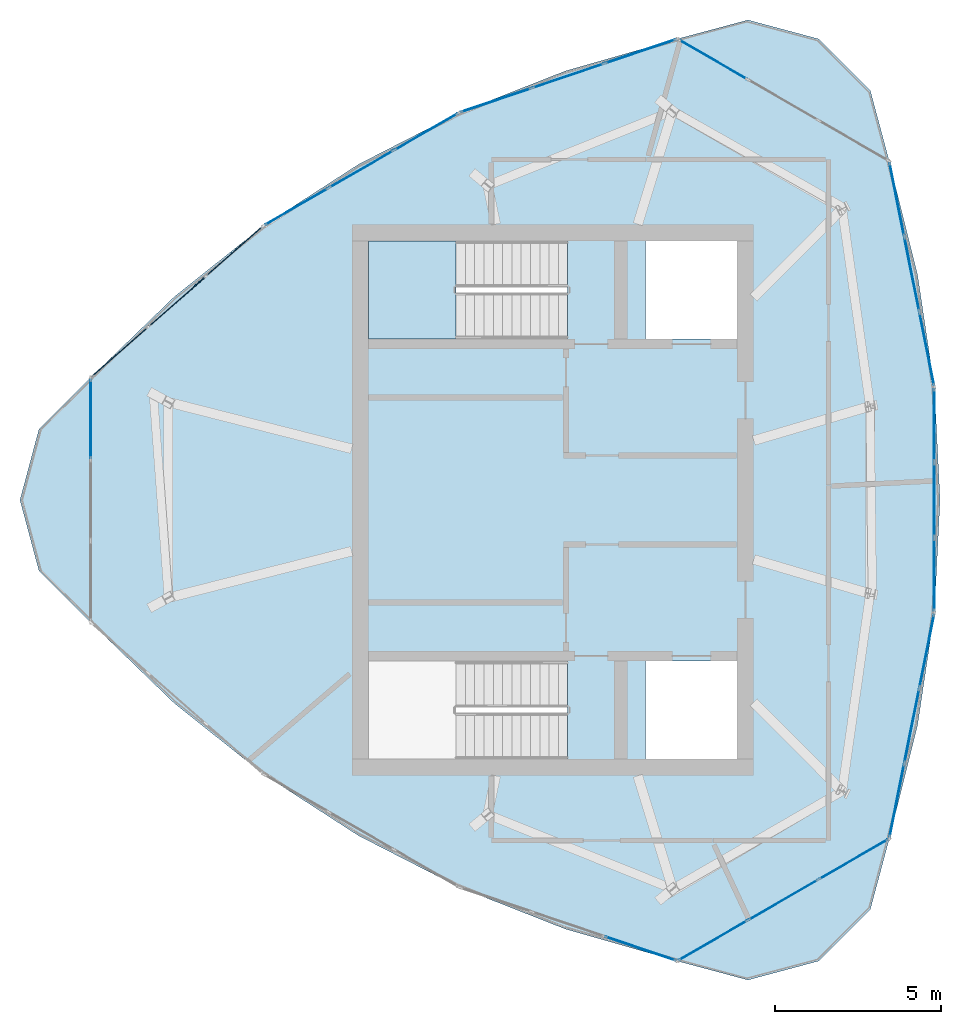
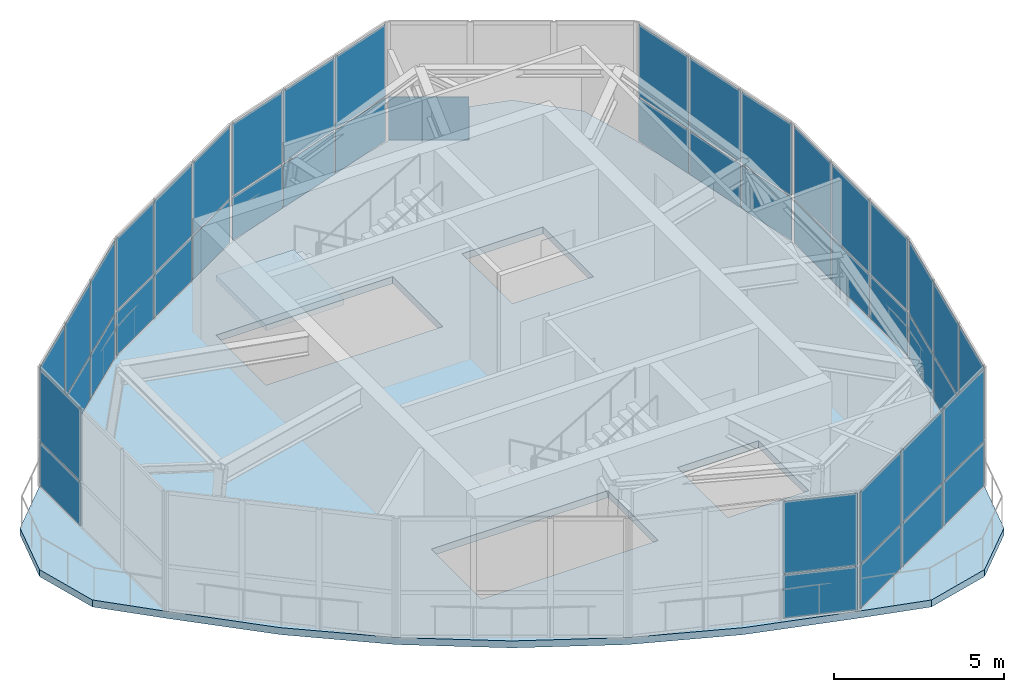
# One storey, part 6 of 10: 47 plates, 2 slabs, 11 elements without a shape of their own.
"""IFC4 building model written with IfcOpenShell, lengths in metres."""

from ifc_helpers import new_model, si_unit, direction, frame, origin, origin_2d, place, context, subcontext, project, spatial, polyline, rectangle, outline, extrude, source, transform, mapped, material, layer, layer_set, type_object, element, aggregate, save


model = new_model("IFC4")

# Units and contexts
model_context = context("Model", 3, precision=1e-05, world=origin(), true_north=direction((0.0, 1.0)))
body_context = subcontext(model_context, "Body", "Model", "MODEL_VIEW")
ifc_project = project(units=[si_unit("LENGTHUNIT", "METRE"), si_unit("AREAUNIT", "SQUARE_METRE"), si_unit("VOLUMEUNIT", "CUBIC_METRE"), si_unit("PLANEANGLEUNIT", "RADIAN"), si_unit("MASSUNIT", "GRAM", prefix="KILO")], contexts=[model_context])

# Site, building, storey
site_placement = place(None, origin())
site = spatial("IfcSite", under=ifc_project, at=site_placement, CompositionType="ELEMENT")
building_placement = place(site_placement, origin())
building = spatial("IfcBuilding", under=site, at=building_placement, Name="Qafzar Sky-Pleat Residences", CompositionType="ELEMENT")
storey_placement = place(building_placement, frame((0.0, 0.0, 270.39990234375)))
storey = spatial("IfcBuildingStorey", under=building, at=storey_placement, Name="L80 Crown", CompositionType="ELEMENT", Elevation=270.39990234375)

# Slab
ifc_material_1 = material(Name="Concrete C40/50", Category="concrete")
ifc_layer_1 = layer(ifc_material_1, 0.25)
ifc_layer_set_1 = layer_set([ifc_layer_1], Name="Concrete C40/50")
slab_type_1 = type_object("IfcSlabType", Name="SLAB-FLR-250", PredefinedType="FLOOR", material=ifc_layer_set_1)
slab_1_placement = place(storey_placement, frame((0.0, 0.0, -0.25)))
element("IfcSlab", 1, at=slab_1_placement, inside=storey, type_object=slab_type_1, Name="L80 Crown Crown Plant Floor Slab", PredefinedType="FLOOR", context=body_context, shape_type="SweptSolid", body=[
    extrude(outline(polyline([(16.438720703125, 29.68359375), (14.882080078125, 28.126708984375), (14.31201171875, 26.0), (14.882080078125, 23.873291015625), (16.438720703125, 22.31640625), (18.95751953125, 19.881103515625), (21.646240234375, 17.739990234375), (24.5048828125, 15.893310546875), (27.533447265625, 14.341064453125), (30.732177734375, 13.0830078125), (34.1005859375, 12.119384765625), (36.227294921875, 11.549560546875), (38.35400390625, 12.119384765625), (39.910888671875, 13.67626953125), (40.480712890625, 15.802978515625), (41.330322265625, 19.201904296875), (41.840087890625, 22.60107421875), (42.01025390625, 26.0), (41.840087890625, 29.39892578125), (41.330322265625, 32.798095703125), (40.480712890625, 36.197021484375), (39.910888671875, 38.32373046875), (38.35400390625, 39.880615234375), (36.227294921875, 40.450439453125), (34.1005859375, 39.880615234375), (30.732177734375, 38.9169921875), (27.533447265625, 37.658935546875), (24.5048828125, 36.106689453125), (21.646240234375, 34.260009765625), (18.95751953125, 32.118896484375), (16.438720703125, 29.68359375)]), holes=[polyline([(30.797119140625, 21.14990234375), (24.800048828125, 21.14990234375), (24.800048828125, 18.199951171875), (30.797119140625, 18.199951171875), (30.797119140625, 21.14990234375)]), polyline([(30.797119140625, 33.800048828125), (24.800048828125, 33.800048828125), (24.800048828125, 30.85009765625), (30.797119140625, 30.85009765625), (30.797119140625, 33.800048828125)]), polyline([(33.14990234375, 18.199951171875), (35.89990234375, 18.199951171875), (35.89990234375, 21.14990234375), (33.14990234375, 21.14990234375), (33.14990234375, 18.199951171875)]), polyline([(33.14990234375, 30.85009765625), (35.89990234375, 30.85009765625), (35.89990234375, 33.800048828125), (33.14990234375, 33.800048828125), (33.14990234375, 30.85009765625)])]), origin(), (0.0, 0.0, 1.0), 0.25),
])

# Stair, slab
stair_type = type_object("IfcStairType", Name="STAIR-H430", PredefinedType="HALF_TURN_STAIR", material=ifc_material_1)
stair_placement = place(storey_placement, origin())
stair = element("IfcStair", 2, at=stair_placement, inside=storey, type_object=stair_type, Name="L80 Crown Protected Exit Stair ST2", PredefinedType="HALF_TURN_STAIR")
ifc_layer_2 = layer(ifc_material_1, 0.199951171875)
ifc_layer_set_2 = layer_set([ifc_layer_2], Name="Concrete C40/50")
slab_type_2 = type_object("IfcSlabType", Name="SLAB-LANDING-200", PredefinedType="LANDING", material=ifc_layer_set_2)
slab_2_placement = place(storey_placement, frame((0.0, 0.0, 1.9501953125)))
slab_2 = element("IfcSlab", 3, at=slab_2_placement, type_object=slab_type_2, Name="ST2 landing 1", PredefinedType="LANDING", context=body_context, shape_type="SweptSolid", body=[
    extrude(outline(polyline([(27.43994140625, 33.800048828125), (24.800048828125, 33.800048828125), (24.800048828125, 30.85009765625), (27.43994140625, 30.85009765625), (27.43994140625, 33.800048828125)])), origin(), (0.0, 0.0, 1.0), 0.199951171875),
])
aggregate(stair, [slab_2])

# Curtain wall, plate
ifc_material_2 = material(Name="Anodised bronze aluminium framing", Category="aluminium")
ifc_layer_3 = layer(ifc_material_2, 0.179931640625)
ifc_layer_set_3 = layer_set([ifc_layer_3], Name="Anodised bronze aluminium framing")
curtain_wall_type = type_object("IfcCurtainWallType", Name="CW-SYS-06", PredefinedType="NOTDEFINED", material=ifc_layer_set_3)
curtain_wall_1_placement = place(storey_placement, origin())
curtain_wall_1 = element("IfcCurtainWall", 4, at=curtain_wall_1_placement, inside=storey, type_object=curtain_wall_type, Name="L80 Crown CW-06 Curtain Wall CW-CROWN-05-01", PredefinedType="NOTDEFINED")
ifc_material_3 = material(Name="Solar-control double low-E glazing", Category="glass")
ifc_layer_4 = layer(ifc_material_3, 0.02587890625)
ifc_layer_set_4 = layer_set([ifc_layer_4], Name="Solar-control double low-E glazing")
plate_type = type_object("IfcPlateType", Name="CWP-06", PredefinedType="CURTAIN_PANEL", material=ifc_layer_set_4)
shared_shape_1 = source(origin(), body_context, "Body", "SweptSolid", [
    extrude(rectangle(XDim=2.36572265625, YDim=0.02587890625, at=origin_2d()), origin(), (0.0, 0.0, 1.0), 1.5439453125),
])
plate_1_placement = place(storey_placement, frame((16.438720703125, 28.440673828125, 0.06005859375), z_axis=(0.0, 0.0, 1.0), x_axis=(0.0, -1.0, 0.0)))
plate_1 = element("IfcPlate", 5, at=plate_1_placement, type_object=plate_type, Name="CW-06 panel 1.1", PredefinedType="CURTAIN_PANEL", context=body_context, shape_type="MappedRepresentation", body=[
    mapped(shared_shape_1, transform((0.0, 0.0, 0.0), x_axis=(1.0, 0.0, 0.0), y_axis=(0.0, 1.0, 0.0), z_axis=(0.0, 0.0, 1.0), scale=1.0)),
])

# Curtain wall, plates
curtain_wall_2_placement = place(storey_placement, origin())
curtain_wall_2 = element("IfcCurtainWall", 6, at=curtain_wall_2_placement, inside=storey, type_object=curtain_wall_type, Name="L80 Crown CW-06 Curtain Wall CW-CROWN-05-05", PredefinedType="NOTDEFINED")
plate_2_placement = place(storey_placement, frame((35.177001953125, 12.740966796875, 0.06005859375), z_axis=(0.0, 0.0, 1.0), x_axis=(0.86602509329, 0.500000537791, 0.0)))
plate_2 = element("IfcPlate", 7, at=plate_2_placement, type_object=plate_type, Name="CW-06 panel 1.1", PredefinedType="CURTAIN_PANEL", context=body_context, shape_type="MappedRepresentation", body=[
    mapped(shared_shape_1, transform((0.0, 0.0, 0.0), x_axis=(1.0, 0.0, 0.0), y_axis=(0.0, 1.0, 0.0), z_axis=(0.0, 0.0, 1.0), scale=1.0)),
])
plate_3_placement = place(storey_placement, frame((39.404296875, 15.181640625, 0.06005859375), z_axis=(0.0, 0.0, 1.0), x_axis=(0.86602509329, 0.500000537791, 0.0)))
plate_3 = element("IfcPlate", 8, at=plate_3_placement, type_object=plate_type, Name="CW-06 panel 3.1", PredefinedType="CURTAIN_PANEL", context=body_context, shape_type="MappedRepresentation", body=[
    mapped(shared_shape_1, transform((0.0, 0.0, 0.0), x_axis=(1.0, 0.0, 0.0), y_axis=(0.0, 1.0, 0.0), z_axis=(0.0, 0.0, 1.0), scale=1.0)),
])

# Curtain wall, plate
curtain_wall_3_placement = place(storey_placement, origin())
curtain_wall_3 = element("IfcCurtainWall", 9, at=curtain_wall_3_placement, inside=storey, type_object=curtain_wall_type, Name="L80 Crown CW-06 Curtain Wall CW-CROWN-05-09", PredefinedType="NOTDEFINED")
plate_4_placement = place(storey_placement, frame((35.177001953125, 39.259033203125, 0.06005859375), z_axis=(0.0, 0.0, 1.0), x_axis=(-0.86602509329, 0.500000537791, 0.0)))
plate_4 = element("IfcPlate", 10, at=plate_4_placement, type_object=plate_type, Name="CW-06 panel 3.1", PredefinedType="CURTAIN_PANEL", context=body_context, shape_type="MappedRepresentation", body=[
    mapped(shared_shape_1, transform((0.0, 0.0, 0.0), x_axis=(1.0, 0.0, 0.0), y_axis=(0.0, 1.0, 0.0), z_axis=(0.0, 0.0, 1.0), scale=1.0)),
])
aggregate(curtain_wall_3, [plate_4])

# Plate
shared_shape_2 = source(origin(), body_context, "Body", "SweptSolid", [
    extrude(rectangle(XDim=2.36572265625, YDim=0.02587890625, at=origin_2d()), origin(), (0.0, 0.0, 1.0), 2.575927734375),
])
plate_5_placement = place(storey_placement, frame((16.438720703125, 28.440673828125, 1.6640625), z_axis=(0.0, 0.0, 1.0), x_axis=(0.0, -1.0, 0.0)))
plate_5 = element("IfcPlate", 11, at=plate_5_placement, type_object=plate_type, Name="CW-06 panel 1.2", PredefinedType="CURTAIN_PANEL", context=body_context, shape_type="MappedRepresentation", body=[
    mapped(shared_shape_2, transform((0.0, 0.0, 0.0), x_axis=(1.0, 0.0, 0.0), y_axis=(0.0, 1.0, 0.0), z_axis=(0.0, 0.0, 1.0), scale=1.0)),
])

aggregate(curtain_wall_1, [plate_1, plate_5])

plate_6_placement = place(storey_placement, frame((35.177001953125, 12.740966796875, 1.6640625), z_axis=(0.0, 0.0, 1.0), x_axis=(0.86602509329, 0.500000537791, 0.0)))
plate_6 = element("IfcPlate", 12, at=plate_6_placement, type_object=plate_type, Name="CW-06 panel 1.2", PredefinedType="CURTAIN_PANEL", context=body_context, shape_type="MappedRepresentation", body=[
    mapped(shared_shape_2, transform((0.0, 0.0, 0.0), x_axis=(1.0, 0.0, 0.0), y_axis=(0.0, 1.0, 0.0), z_axis=(0.0, 0.0, 1.0), scale=1.0)),
])

plate_7_placement = place(storey_placement, frame((39.404296875, 15.181640625, 1.6640625), z_axis=(0.0, 0.0, 1.0), x_axis=(0.86602509329, 0.500000537791, 0.0)))
plate_7 = element("IfcPlate", 13, at=plate_7_placement, type_object=plate_type, Name="CW-06 panel 3.2", PredefinedType="CURTAIN_PANEL", context=body_context, shape_type="MappedRepresentation", body=[
    mapped(shared_shape_2, transform((0.0, 0.0, 0.0), x_axis=(1.0, 0.0, 0.0), y_axis=(0.0, 1.0, 0.0), z_axis=(0.0, 0.0, 1.0), scale=1.0)),
])

shared_shape_3 = source(origin(), body_context, "Body", "SweptSolid", [
    extrude(rectangle(XDim=2.395751953125, YDim=0.02587890625, at=origin_2d()), origin(), (0.0, 0.0, 1.0), 1.5439453125),
])
plate_8_placement = place(storey_placement, frame((37.29052734375, 13.961181640625, 0.06005859375), z_axis=(0.0, 0.0, 1.0), x_axis=(0.86602509329, 0.500000537791, 0.0)))
plate_8 = element("IfcPlate", 14, at=plate_8_placement, type_object=plate_type, Name="CW-06 panel 2.1", PredefinedType="CURTAIN_PANEL", context=body_context, shape_type="MappedRepresentation", body=[
    mapped(shared_shape_3, transform((0.0, 0.0, 0.0), x_axis=(1.0, 0.0, 0.0), y_axis=(0.0, 1.0, 0.0), z_axis=(0.0, 0.0, 1.0), scale=1.0)),
])

shared_shape_4 = source(origin(), body_context, "Body", "SweptSolid", [
    extrude(rectangle(XDim=2.395751953125, YDim=0.02587890625, at=origin_2d()), origin(), (0.0, 0.0, 1.0), 2.575927734375),
])
plate_9_placement = place(storey_placement, frame((37.29052734375, 13.961181640625, 1.6640625), z_axis=(0.0, 0.0, 1.0), x_axis=(0.86602509329, 0.500000537791, 0.0)))
plate_9 = element("IfcPlate", 15, at=plate_9_placement, type_object=plate_type, Name="CW-06 panel 2.2", PredefinedType="CURTAIN_PANEL", context=body_context, shape_type="MappedRepresentation", body=[
    mapped(shared_shape_4, transform((0.0, 0.0, 0.0), x_axis=(1.0, 0.0, 0.0), y_axis=(0.0, 1.0, 0.0), z_axis=(0.0, 0.0, 1.0), scale=1.0)),
])

aggregate(curtain_wall_2, [plate_2, plate_6, plate_8, plate_9, plate_3, plate_7])

# Curtain wall, plate
curtain_wall_4_placement = place(storey_placement, origin())
curtain_wall_4 = element("IfcCurtainWall", 16, at=curtain_wall_4_placement, inside=storey, type_object=curtain_wall_type, Name="L80 Crown CW-06 Curtain Wall CW-CROWN-05-04", PredefinedType="NOTDEFINED")
shared_shape_5 = source(origin(), body_context, "Body", "SweptSolid", [
    extrude(rectangle(XDim=2.220947265625, YDim=0.02587890625, at=origin_2d()), origin(), (0.0, 0.0, 1.0), 1.5439453125),
])
plate_10_placement = place(storey_placement, frame((32.991943359375, 12.49462890625, 0.06005859375), z_axis=(0.0, 0.0, 1.0), x_axis=(0.947268992324, -0.320439473508, 0.0)))
plate_10 = element("IfcPlate", 17, at=plate_10_placement, type_object=plate_type, Name="CW-06 panel 3.1", PredefinedType="CURTAIN_PANEL", context=body_context, shape_type="MappedRepresentation", body=[
    mapped(shared_shape_5, transform((0.0, 0.0, 0.0), x_axis=(1.0, 0.0, 0.0), y_axis=(0.0, 1.0, 0.0), z_axis=(0.0, 0.0, 1.0), scale=1.0)),
])

# Curtain wall, plates
curtain_wall_5_placement = place(storey_placement, origin())
curtain_wall_5 = element("IfcCurtainWall", 18, at=curtain_wall_5_placement, inside=storey, type_object=curtain_wall_type, Name="L80 Crown CW-06 Curtain Wall CW-CROWN-05-06", PredefinedType="NOTDEFINED")
plate_11_placement = place(storey_placement, frame((40.710205078125, 16.95068359375, 0.06005859375), z_axis=(0.0, 0.0, 1.0), x_axis=(0.196116135138, 0.980580675691, 0.0)))
plate_11 = element("IfcPlate", 19, at=plate_11_placement, type_object=plate_type, Name="CW-06 panel 1.1", PredefinedType="CURTAIN_PANEL", context=body_context, shape_type="MappedRepresentation", body=[
    mapped(shared_shape_5, transform((0.0, 0.0, 0.0), x_axis=(1.0, 0.0, 0.0), y_axis=(0.0, 1.0, 0.0), z_axis=(0.0, 0.0, 1.0), scale=1.0)),
])
plate_12_placement = place(storey_placement, frame((41.610595703125, 21.453369140625, 0.06005859375), z_axis=(0.0, 0.0, 1.0), x_axis=(0.196116135138, 0.980580675691, 0.0)))
plate_12 = element("IfcPlate", 20, at=plate_12_placement, type_object=plate_type, Name="CW-06 panel 3.1", PredefinedType="CURTAIN_PANEL", context=body_context, shape_type="MappedRepresentation", body=[
    mapped(shared_shape_5, transform((0.0, 0.0, 0.0), x_axis=(1.0, 0.0, 0.0), y_axis=(0.0, 1.0, 0.0), z_axis=(0.0, 0.0, 1.0), scale=1.0)),
])

curtain_wall_6_placement = place(storey_placement, origin())
curtain_wall_6 = element("IfcCurtainWall", 21, at=curtain_wall_6_placement, inside=storey, type_object=curtain_wall_type, Name="L80 Crown CW-06 Curtain Wall CW-CROWN-05-08", PredefinedType="NOTDEFINED")
plate_13_placement = place(storey_placement, frame((41.610595703125, 30.546630859375, 0.06005859375), z_axis=(0.0, 0.0, 1.0), x_axis=(-0.196116135138, 0.980580675691, 0.0)))
plate_13 = element("IfcPlate", 22, at=plate_13_placement, type_object=plate_type, Name="CW-06 panel 1.1", PredefinedType="CURTAIN_PANEL", context=body_context, shape_type="MappedRepresentation", body=[
    mapped(shared_shape_5, transform((0.0, 0.0, 0.0), x_axis=(1.0, 0.0, 0.0), y_axis=(0.0, 1.0, 0.0), z_axis=(0.0, 0.0, 1.0), scale=1.0)),
])
plate_14_placement = place(storey_placement, frame((40.710205078125, 35.04931640625, 0.06005859375), z_axis=(0.0, 0.0, 1.0), x_axis=(-0.196116135138, 0.980580675691, 0.0)))
plate_14 = element("IfcPlate", 23, at=plate_14_placement, type_object=plate_type, Name="CW-06 panel 3.1", PredefinedType="CURTAIN_PANEL", context=body_context, shape_type="MappedRepresentation", body=[
    mapped(shared_shape_5, transform((0.0, 0.0, 0.0), x_axis=(1.0, 0.0, 0.0), y_axis=(0.0, 1.0, 0.0), z_axis=(0.0, 0.0, 1.0), scale=1.0)),
])

curtain_wall_7_placement = place(storey_placement, origin())
curtain_wall_7 = element("IfcCurtainWall", 24, at=curtain_wall_7_placement, inside=storey, type_object=curtain_wall_type, Name="L80 Crown CW-06 Curtain Wall CW-CROWN-05-10", PredefinedType="NOTDEFINED")
plate_15_placement = place(storey_placement, frame((32.991943359375, 39.50537109375, 0.06005859375), z_axis=(0.0, 0.0, 1.0), x_axis=(-0.947268992324, -0.320439473508, 0.0)))
plate_15 = element("IfcPlate", 25, at=plate_15_placement, type_object=plate_type, Name="CW-06 panel 1.1", PredefinedType="CURTAIN_PANEL", context=body_context, shape_type="MappedRepresentation", body=[
    mapped(shared_shape_5, transform((0.0, 0.0, 0.0), x_axis=(1.0, 0.0, 0.0), y_axis=(0.0, 1.0, 0.0), z_axis=(0.0, 0.0, 1.0), scale=1.0)),
])
plate_16_placement = place(storey_placement, frame((28.642333984375, 38.033935546875, 0.06005859375), z_axis=(0.0, 0.0, 1.0), x_axis=(-0.947268992324, -0.320439473508, 0.0)))
plate_16 = element("IfcPlate", 26, at=plate_16_placement, type_object=plate_type, Name="CW-06 panel 3.1", PredefinedType="CURTAIN_PANEL", context=body_context, shape_type="MappedRepresentation", body=[
    mapped(shared_shape_5, transform((0.0, 0.0, 0.0), x_axis=(1.0, 0.0, 0.0), y_axis=(0.0, 1.0, 0.0), z_axis=(0.0, 0.0, 1.0), scale=1.0)),
])

curtain_wall_8_placement = place(storey_placement, origin())
curtain_wall_8 = element("IfcCurtainWall", 27, at=curtain_wall_8_placement, inside=storey, type_object=curtain_wall_type, Name="L80 Crown CW-06 Curtain Wall CW-CROWN-05-12", PredefinedType="NOTDEFINED")
plate_17_placement = place(storey_placement, frame((20.76708984375, 33.4873046875, 0.06005859375), z_axis=(0.0, 0.0, 1.0), x_axis=(-0.751149726497, -0.660131871965, 0.0)))
plate_17 = element("IfcPlate", 28, at=plate_17_placement, type_object=plate_type, Name="CW-06 panel 1.1", PredefinedType="CURTAIN_PANEL", context=body_context, shape_type="MappedRepresentation", body=[
    mapped(shared_shape_5, transform((0.0, 0.0, 0.0), x_axis=(1.0, 0.0, 0.0), y_axis=(0.0, 1.0, 0.0), z_axis=(0.0, 0.0, 1.0), scale=1.0)),
])
plate_18_placement = place(storey_placement, frame((17.31787109375, 30.4560546875, 0.06005859375), z_axis=(0.0, 0.0, 1.0), x_axis=(-0.751149726497, -0.660131871965, 0.0)))
plate_18 = element("IfcPlate", 29, at=plate_18_placement, type_object=plate_type, Name="CW-06 panel 3.1", PredefinedType="CURTAIN_PANEL", context=body_context, shape_type="MappedRepresentation", body=[
    mapped(shared_shape_5, transform((0.0, 0.0, 0.0), x_axis=(1.0, 0.0, 0.0), y_axis=(0.0, 1.0, 0.0), z_axis=(0.0, 0.0, 1.0), scale=1.0)),
])

# Plate
shared_shape_6 = source(origin(), body_context, "Body", "SweptSolid", [
    extrude(rectangle(XDim=2.220947265625, YDim=0.02587890625, at=origin_2d()), origin(), (0.0, 0.0, 1.0), 2.575927734375),
])
plate_19_placement = place(storey_placement, frame((32.991943359375, 12.49462890625, 1.6640625), z_axis=(0.0, 0.0, 1.0), x_axis=(0.947268992324, -0.320439473508, 0.0)))
plate_19 = element("IfcPlate", 30, at=plate_19_placement, type_object=plate_type, Name="CW-06 panel 3.2", PredefinedType="CURTAIN_PANEL", context=body_context, shape_type="MappedRepresentation", body=[
    mapped(shared_shape_6, transform((0.0, 0.0, 0.0), x_axis=(1.0, 0.0, 0.0), y_axis=(0.0, 1.0, 0.0), z_axis=(0.0, 0.0, 1.0), scale=1.0)),
])

aggregate(curtain_wall_4, [plate_10, plate_19])

plate_20_placement = place(storey_placement, frame((40.710205078125, 16.95068359375, 1.6640625), z_axis=(0.0, 0.0, 1.0), x_axis=(0.196116135138, 0.980580675691, 0.0)))
plate_20 = element("IfcPlate", 31, at=plate_20_placement, type_object=plate_type, Name="CW-06 panel 1.2", PredefinedType="CURTAIN_PANEL", context=body_context, shape_type="MappedRepresentation", body=[
    mapped(shared_shape_6, transform((0.0, 0.0, 0.0), x_axis=(1.0, 0.0, 0.0), y_axis=(0.0, 1.0, 0.0), z_axis=(0.0, 0.0, 1.0), scale=1.0)),
])

plate_21_placement = place(storey_placement, frame((41.610595703125, 21.453369140625, 1.6640625), z_axis=(0.0, 0.0, 1.0), x_axis=(0.196116135138, 0.980580675691, 0.0)))
plate_21 = element("IfcPlate", 32, at=plate_21_placement, type_object=plate_type, Name="CW-06 panel 3.2", PredefinedType="CURTAIN_PANEL", context=body_context, shape_type="MappedRepresentation", body=[
    mapped(shared_shape_6, transform((0.0, 0.0, 0.0), x_axis=(1.0, 0.0, 0.0), y_axis=(0.0, 1.0, 0.0), z_axis=(0.0, 0.0, 1.0), scale=1.0)),
])

plate_22_placement = place(storey_placement, frame((41.610595703125, 30.546630859375, 1.6640625), z_axis=(0.0, 0.0, 1.0), x_axis=(-0.196116135138, 0.980580675691, 0.0)))
plate_22 = element("IfcPlate", 33, at=plate_22_placement, type_object=plate_type, Name="CW-06 panel 1.2", PredefinedType="CURTAIN_PANEL", context=body_context, shape_type="MappedRepresentation", body=[
    mapped(shared_shape_6, transform((0.0, 0.0, 0.0), x_axis=(1.0, 0.0, 0.0), y_axis=(0.0, 1.0, 0.0), z_axis=(0.0, 0.0, 1.0), scale=1.0)),
])

plate_23_placement = place(storey_placement, frame((40.710205078125, 35.04931640625, 1.6640625), z_axis=(0.0, 0.0, 1.0), x_axis=(-0.196116135138, 0.980580675691, 0.0)))
plate_23 = element("IfcPlate", 34, at=plate_23_placement, type_object=plate_type, Name="CW-06 panel 3.2", PredefinedType="CURTAIN_PANEL", context=body_context, shape_type="MappedRepresentation", body=[
    mapped(shared_shape_6, transform((0.0, 0.0, 0.0), x_axis=(1.0, 0.0, 0.0), y_axis=(0.0, 1.0, 0.0), z_axis=(0.0, 0.0, 1.0), scale=1.0)),
])

plate_24_placement = place(storey_placement, frame((32.991943359375, 39.50537109375, 1.6640625), z_axis=(0.0, 0.0, 1.0), x_axis=(-0.947268992324, -0.320439473508, 0.0)))
plate_24 = element("IfcPlate", 35, at=plate_24_placement, type_object=plate_type, Name="CW-06 panel 1.2", PredefinedType="CURTAIN_PANEL", context=body_context, shape_type="MappedRepresentation", body=[
    mapped(shared_shape_6, transform((0.0, 0.0, 0.0), x_axis=(1.0, 0.0, 0.0), y_axis=(0.0, 1.0, 0.0), z_axis=(0.0, 0.0, 1.0), scale=1.0)),
])

plate_25_placement = place(storey_placement, frame((28.642333984375, 38.033935546875, 1.6640625), z_axis=(0.0, 0.0, 1.0), x_axis=(-0.947268992324, -0.320439473508, 0.0)))
plate_25 = element("IfcPlate", 36, at=plate_25_placement, type_object=plate_type, Name="CW-06 panel 3.2", PredefinedType="CURTAIN_PANEL", context=body_context, shape_type="MappedRepresentation", body=[
    mapped(shared_shape_6, transform((0.0, 0.0, 0.0), x_axis=(1.0, 0.0, 0.0), y_axis=(0.0, 1.0, 0.0), z_axis=(0.0, 0.0, 1.0), scale=1.0)),
])

plate_26_placement = place(storey_placement, frame((20.76708984375, 33.4873046875, 1.6640625), z_axis=(0.0, 0.0, 1.0), x_axis=(-0.751149726497, -0.660131871965, 0.0)))
plate_26 = element("IfcPlate", 37, at=plate_26_placement, type_object=plate_type, Name="CW-06 panel 1.2", PredefinedType="CURTAIN_PANEL", context=body_context, shape_type="MappedRepresentation", body=[
    mapped(shared_shape_6, transform((0.0, 0.0, 0.0), x_axis=(1.0, 0.0, 0.0), y_axis=(0.0, 1.0, 0.0), z_axis=(0.0, 0.0, 1.0), scale=1.0)),
])

plate_27_placement = place(storey_placement, frame((17.31787109375, 30.4560546875, 1.6640625), z_axis=(0.0, 0.0, 1.0), x_axis=(-0.751149726497, -0.660131871965, 0.0)))
plate_27 = element("IfcPlate", 38, at=plate_27_placement, type_object=plate_type, Name="CW-06 panel 3.2", PredefinedType="CURTAIN_PANEL", context=body_context, shape_type="MappedRepresentation", body=[
    mapped(shared_shape_6, transform((0.0, 0.0, 0.0), x_axis=(1.0, 0.0, 0.0), y_axis=(0.0, 1.0, 0.0), z_axis=(0.0, 0.0, 1.0), scale=1.0)),
])

shared_shape_7 = source(origin(), body_context, "Body", "SweptSolid", [
    extrude(rectangle(XDim=2.2509765625, YDim=0.02587890625, at=origin_2d()), origin(), (0.0, 0.0, 1.0), 1.5439453125),
])
plate_28_placement = place(storey_placement, frame((41.160400390625, 19.201904296875, 0.06005859375), z_axis=(0.0, 0.0, 1.0), x_axis=(0.196116135138, 0.980580675691, 0.0)))
plate_28 = element("IfcPlate", 39, at=plate_28_placement, type_object=plate_type, Name="CW-06 panel 2.1", PredefinedType="CURTAIN_PANEL", context=body_context, shape_type="MappedRepresentation", body=[
    mapped(shared_shape_7, transform((0.0, 0.0, 0.0), x_axis=(1.0, 0.0, 0.0), y_axis=(0.0, 1.0, 0.0), z_axis=(0.0, 0.0, 1.0), scale=1.0)),
])

plate_29_placement = place(storey_placement, frame((41.160400390625, 32.798095703125, 0.06005859375), z_axis=(0.0, 0.0, 1.0), x_axis=(-0.196116135138, 0.980580675691, 0.0)))
plate_29 = element("IfcPlate", 40, at=plate_29_placement, type_object=plate_type, Name="CW-06 panel 2.1", PredefinedType="CURTAIN_PANEL", context=body_context, shape_type="MappedRepresentation", body=[
    mapped(shared_shape_7, transform((0.0, 0.0, 0.0), x_axis=(1.0, 0.0, 0.0), y_axis=(0.0, 1.0, 0.0), z_axis=(0.0, 0.0, 1.0), scale=1.0)),
])

plate_30_placement = place(storey_placement, frame((30.817138671875, 38.769775390625, 0.06005859375), z_axis=(0.0, 0.0, 1.0), x_axis=(-0.947268992324, -0.320439473508, 0.0)))
plate_30 = element("IfcPlate", 41, at=plate_30_placement, type_object=plate_type, Name="CW-06 panel 2.1", PredefinedType="CURTAIN_PANEL", context=body_context, shape_type="MappedRepresentation", body=[
    mapped(shared_shape_7, transform((0.0, 0.0, 0.0), x_axis=(1.0, 0.0, 0.0), y_axis=(0.0, 1.0, 0.0), z_axis=(0.0, 0.0, 1.0), scale=1.0)),
])

plate_31_placement = place(storey_placement, frame((19.04248046875, 31.9716796875, 0.06005859375), z_axis=(0.0, 0.0, 1.0), x_axis=(-0.751149726497, -0.660131871965, 0.0)))
plate_31 = element("IfcPlate", 42, at=plate_31_placement, type_object=plate_type, Name="CW-06 panel 2.1", PredefinedType="CURTAIN_PANEL", context=body_context, shape_type="MappedRepresentation", body=[
    mapped(shared_shape_7, transform((0.0, 0.0, 0.0), x_axis=(1.0, 0.0, 0.0), y_axis=(0.0, 1.0, 0.0), z_axis=(0.0, 0.0, 1.0), scale=1.0)),
])

shared_shape_8 = source(origin(), body_context, "Body", "SweptSolid", [
    extrude(rectangle(XDim=2.2509765625, YDim=0.02587890625, at=origin_2d()), origin(), (0.0, 0.0, 1.0), 2.575927734375),
])
plate_32_placement = place(storey_placement, frame((41.160400390625, 19.201904296875, 1.6640625), z_axis=(0.0, 0.0, 1.0), x_axis=(0.196116135138, 0.980580675691, 0.0)))
plate_32 = element("IfcPlate", 43, at=plate_32_placement, type_object=plate_type, Name="CW-06 panel 2.2", PredefinedType="CURTAIN_PANEL", context=body_context, shape_type="MappedRepresentation", body=[
    mapped(shared_shape_8, transform((0.0, 0.0, 0.0), x_axis=(1.0, 0.0, 0.0), y_axis=(0.0, 1.0, 0.0), z_axis=(0.0, 0.0, 1.0), scale=1.0)),
])

aggregate(curtain_wall_5, [plate_11, plate_20, plate_28, plate_32, plate_12, plate_21])

plate_33_placement = place(storey_placement, frame((41.160400390625, 32.798095703125, 1.6640625), z_axis=(0.0, 0.0, 1.0), x_axis=(-0.196116135138, 0.980580675691, 0.0)))
plate_33 = element("IfcPlate", 44, at=plate_33_placement, type_object=plate_type, Name="CW-06 panel 2.2", PredefinedType="CURTAIN_PANEL", context=body_context, shape_type="MappedRepresentation", body=[
    mapped(shared_shape_8, transform((0.0, 0.0, 0.0), x_axis=(1.0, 0.0, 0.0), y_axis=(0.0, 1.0, 0.0), z_axis=(0.0, 0.0, 1.0), scale=1.0)),
])

aggregate(curtain_wall_6, [plate_13, plate_22, plate_29, plate_33, plate_14, plate_23])

plate_34_placement = place(storey_placement, frame((30.817138671875, 38.769775390625, 1.6640625), z_axis=(0.0, 0.0, 1.0), x_axis=(-0.947268992324, -0.320439473508, 0.0)))
plate_34 = element("IfcPlate", 45, at=plate_34_placement, type_object=plate_type, Name="CW-06 panel 2.2", PredefinedType="CURTAIN_PANEL", context=body_context, shape_type="MappedRepresentation", body=[
    mapped(shared_shape_8, transform((0.0, 0.0, 0.0), x_axis=(1.0, 0.0, 0.0), y_axis=(0.0, 1.0, 0.0), z_axis=(0.0, 0.0, 1.0), scale=1.0)),
])

aggregate(curtain_wall_7, [plate_15, plate_24, plate_30, plate_34, plate_16, plate_25])

plate_35_placement = place(storey_placement, frame((19.04248046875, 31.9716796875, 1.6640625), z_axis=(0.0, 0.0, 1.0), x_axis=(-0.751149726497, -0.660131871965, 0.0)))
plate_35 = element("IfcPlate", 46, at=plate_35_placement, type_object=plate_type, Name="CW-06 panel 2.2", PredefinedType="CURTAIN_PANEL", context=body_context, shape_type="MappedRepresentation", body=[
    mapped(shared_shape_8, transform((0.0, 0.0, 0.0), x_axis=(1.0, 0.0, 0.0), y_axis=(0.0, 1.0, 0.0), z_axis=(0.0, 0.0, 1.0), scale=1.0)),
])

aggregate(curtain_wall_8, [plate_17, plate_26, plate_31, plate_35, plate_18, plate_27])

# Curtain wall, plates
curtain_wall_9_placement = place(storey_placement, origin())
curtain_wall_9 = element("IfcCurtainWall", 47, at=curtain_wall_9_placement, inside=storey, type_object=curtain_wall_type, Name="L80 Crown CW-06 Curtain Wall CW-CROWN-05-07", PredefinedType="NOTDEFINED")
shared_shape_9 = source(origin(), body_context, "Body", "SweptSolid", [
    extrude(rectangle(XDim=2.176025390625, YDim=0.02587890625, at=origin_2d()), origin(), (0.0, 0.0, 1.0), 1.5439453125),
])
plate_36_placement = place(storey_placement, frame((41.840087890625, 23.7490234375, 0.06005859375), z_axis=(0.0, 0.0, 1.0), x_axis=(0.0, 1.0, 0.0)))
plate_36 = element("IfcPlate", 48, at=plate_36_placement, type_object=plate_type, Name="CW-06 panel 1.1", PredefinedType="CURTAIN_PANEL", context=body_context, shape_type="MappedRepresentation", body=[
    mapped(shared_shape_9, transform((0.0, 0.0, 0.0), x_axis=(1.0, 0.0, 0.0), y_axis=(0.0, 1.0, 0.0), z_axis=(0.0, 0.0, 1.0), scale=1.0)),
])
plate_37_placement = place(storey_placement, frame((41.840087890625, 28.2509765625, 0.06005859375), z_axis=(0.0, 0.0, 1.0), x_axis=(0.0, 1.0, 0.0)))
plate_37 = element("IfcPlate", 49, at=plate_37_placement, type_object=plate_type, Name="CW-06 panel 3.1", PredefinedType="CURTAIN_PANEL", context=body_context, shape_type="MappedRepresentation", body=[
    mapped(shared_shape_9, transform((0.0, 0.0, 0.0), x_axis=(1.0, 0.0, 0.0), y_axis=(0.0, 1.0, 0.0), z_axis=(0.0, 0.0, 1.0), scale=1.0)),
])

curtain_wall_10_placement = place(storey_placement, origin())
curtain_wall_10 = element("IfcCurtainWall", 50, at=curtain_wall_10_placement, inside=storey, type_object=curtain_wall_type, Name="L80 Crown CW-06 Curtain Wall CW-CROWN-05-11", PredefinedType="NOTDEFINED")
plate_38_placement = place(storey_placement, frame((26.539306640625, 37.0849609375, 0.06005859375), z_axis=(0.0, 0.0, 1.0), x_axis=(-0.866023907196, -0.500002592159, 0.0)))
plate_38 = element("IfcPlate", 51, at=plate_38_placement, type_object=plate_type, Name="CW-06 panel 1.1", PredefinedType="CURTAIN_PANEL", context=body_context, shape_type="MappedRepresentation", body=[
    mapped(shared_shape_9, transform((0.0, 0.0, 0.0), x_axis=(1.0, 0.0, 0.0), y_axis=(0.0, 1.0, 0.0), z_axis=(0.0, 0.0, 1.0), scale=1.0)),
])
plate_39_placement = place(storey_placement, frame((22.640380859375, 34.833984375, 0.06005859375), z_axis=(0.0, 0.0, 1.0), x_axis=(-0.866023907196, -0.500002592159, 0.0)))
plate_39 = element("IfcPlate", 52, at=plate_39_placement, type_object=plate_type, Name="CW-06 panel 3.1", PredefinedType="CURTAIN_PANEL", context=body_context, shape_type="MappedRepresentation", body=[
    mapped(shared_shape_9, transform((0.0, 0.0, 0.0), x_axis=(1.0, 0.0, 0.0), y_axis=(0.0, 1.0, 0.0), z_axis=(0.0, 0.0, 1.0), scale=1.0)),
])

# Plate
shared_shape_10 = source(origin(), body_context, "Body", "SweptSolid", [
    extrude(rectangle(XDim=2.176025390625, YDim=0.02587890625, at=origin_2d()), origin(), (0.0, 0.0, 1.0), 2.575927734375),
])
plate_40_placement = place(storey_placement, frame((41.840087890625, 23.7490234375, 1.6640625), z_axis=(0.0, 0.0, 1.0), x_axis=(0.0, 1.0, 0.0)))
plate_40 = element("IfcPlate", 53, at=plate_40_placement, type_object=plate_type, Name="CW-06 panel 1.2", PredefinedType="CURTAIN_PANEL", context=body_context, shape_type="MappedRepresentation", body=[
    mapped(shared_shape_10, transform((0.0, 0.0, 0.0), x_axis=(1.0, 0.0, 0.0), y_axis=(0.0, 1.0, 0.0), z_axis=(0.0, 0.0, 1.0), scale=1.0)),
])

plate_41_placement = place(storey_placement, frame((41.840087890625, 28.2509765625, 1.6640625), z_axis=(0.0, 0.0, 1.0), x_axis=(0.0, 1.0, 0.0)))
plate_41 = element("IfcPlate", 54, at=plate_41_placement, type_object=plate_type, Name="CW-06 panel 3.2", PredefinedType="CURTAIN_PANEL", context=body_context, shape_type="MappedRepresentation", body=[
    mapped(shared_shape_10, transform((0.0, 0.0, 0.0), x_axis=(1.0, 0.0, 0.0), y_axis=(0.0, 1.0, 0.0), z_axis=(0.0, 0.0, 1.0), scale=1.0)),
])

plate_42_placement = place(storey_placement, frame((26.539306640625, 37.0849609375, 1.6640625), z_axis=(0.0, 0.0, 1.0), x_axis=(-0.866023907196, -0.500002592159, 0.0)))
plate_42 = element("IfcPlate", 55, at=plate_42_placement, type_object=plate_type, Name="CW-06 panel 1.2", PredefinedType="CURTAIN_PANEL", context=body_context, shape_type="MappedRepresentation", body=[
    mapped(shared_shape_10, transform((0.0, 0.0, 0.0), x_axis=(1.0, 0.0, 0.0), y_axis=(0.0, 1.0, 0.0), z_axis=(0.0, 0.0, 1.0), scale=1.0)),
])

plate_43_placement = place(storey_placement, frame((22.640380859375, 34.833984375, 1.6640625), z_axis=(0.0, 0.0, 1.0), x_axis=(-0.866023907196, -0.500002592159, 0.0)))
plate_43 = element("IfcPlate", 56, at=plate_43_placement, type_object=plate_type, Name="CW-06 panel 3.2", PredefinedType="CURTAIN_PANEL", context=body_context, shape_type="MappedRepresentation", body=[
    mapped(shared_shape_10, transform((0.0, 0.0, 0.0), x_axis=(1.0, 0.0, 0.0), y_axis=(0.0, 1.0, 0.0), z_axis=(0.0, 0.0, 1.0), scale=1.0)),
])

shared_shape_11 = source(origin(), body_context, "Body", "SweptSolid", [
    extrude(rectangle(XDim=2.2060546875, YDim=0.02587890625, at=origin_2d()), origin(), (0.0, 0.0, 1.0), 1.5439453125),
])
plate_44_placement = place(storey_placement, frame((41.840087890625, 26.0, 0.06005859375), z_axis=(0.0, 0.0, 1.0), x_axis=(0.0, 1.0, 0.0)))
plate_44 = element("IfcPlate", 57, at=plate_44_placement, type_object=plate_type, Name="CW-06 panel 2.1", PredefinedType="CURTAIN_PANEL", context=body_context, shape_type="MappedRepresentation", body=[
    mapped(shared_shape_11, transform((0.0, 0.0, 0.0), x_axis=(1.0, 0.0, 0.0), y_axis=(0.0, 1.0, 0.0), z_axis=(0.0, 0.0, 1.0), scale=1.0)),
])

plate_45_placement = place(storey_placement, frame((24.58984375, 35.95947265625, 0.06005859375), z_axis=(0.0, 0.0, 1.0), x_axis=(-0.866023907196, -0.500002592159, 0.0)))
plate_45 = element("IfcPlate", 58, at=plate_45_placement, type_object=plate_type, Name="CW-06 panel 2.1", PredefinedType="CURTAIN_PANEL", context=body_context, shape_type="MappedRepresentation", body=[
    mapped(shared_shape_11, transform((0.0, 0.0, 0.0), x_axis=(1.0, 0.0, 0.0), y_axis=(0.0, 1.0, 0.0), z_axis=(0.0, 0.0, 1.0), scale=1.0)),
])

shared_shape_12 = source(origin(), body_context, "Body", "SweptSolid", [
    extrude(rectangle(XDim=2.2060546875, YDim=0.02587890625, at=origin_2d()), origin(), (0.0, 0.0, 1.0), 2.575927734375),
])
plate_46_placement = place(storey_placement, frame((41.840087890625, 26.0, 1.6640625), z_axis=(0.0, 0.0, 1.0), x_axis=(0.0, 1.0, 0.0)))
plate_46 = element("IfcPlate", 59, at=plate_46_placement, type_object=plate_type, Name="CW-06 panel 2.2", PredefinedType="CURTAIN_PANEL", context=body_context, shape_type="MappedRepresentation", body=[
    mapped(shared_shape_12, transform((0.0, 0.0, 0.0), x_axis=(1.0, 0.0, 0.0), y_axis=(0.0, 1.0, 0.0), z_axis=(0.0, 0.0, 1.0), scale=1.0)),
])

aggregate(curtain_wall_9, [plate_36, plate_40, plate_44, plate_46, plate_37, plate_41])

plate_47_placement = place(storey_placement, frame((24.58984375, 35.95947265625, 1.6640625), z_axis=(0.0, 0.0, 1.0), x_axis=(-0.866023907196, -0.500002592159, 0.0)))
plate_47 = element("IfcPlate", 60, at=plate_47_placement, type_object=plate_type, Name="CW-06 panel 2.2", PredefinedType="CURTAIN_PANEL", context=body_context, shape_type="MappedRepresentation", body=[
    mapped(shared_shape_12, transform((0.0, 0.0, 0.0), x_axis=(1.0, 0.0, 0.0), y_axis=(0.0, 1.0, 0.0), z_axis=(0.0, 0.0, 1.0), scale=1.0)),
])

aggregate(curtain_wall_10, [plate_38, plate_42, plate_45, plate_47, plate_39, plate_43])

save(model, "model.ifc")
